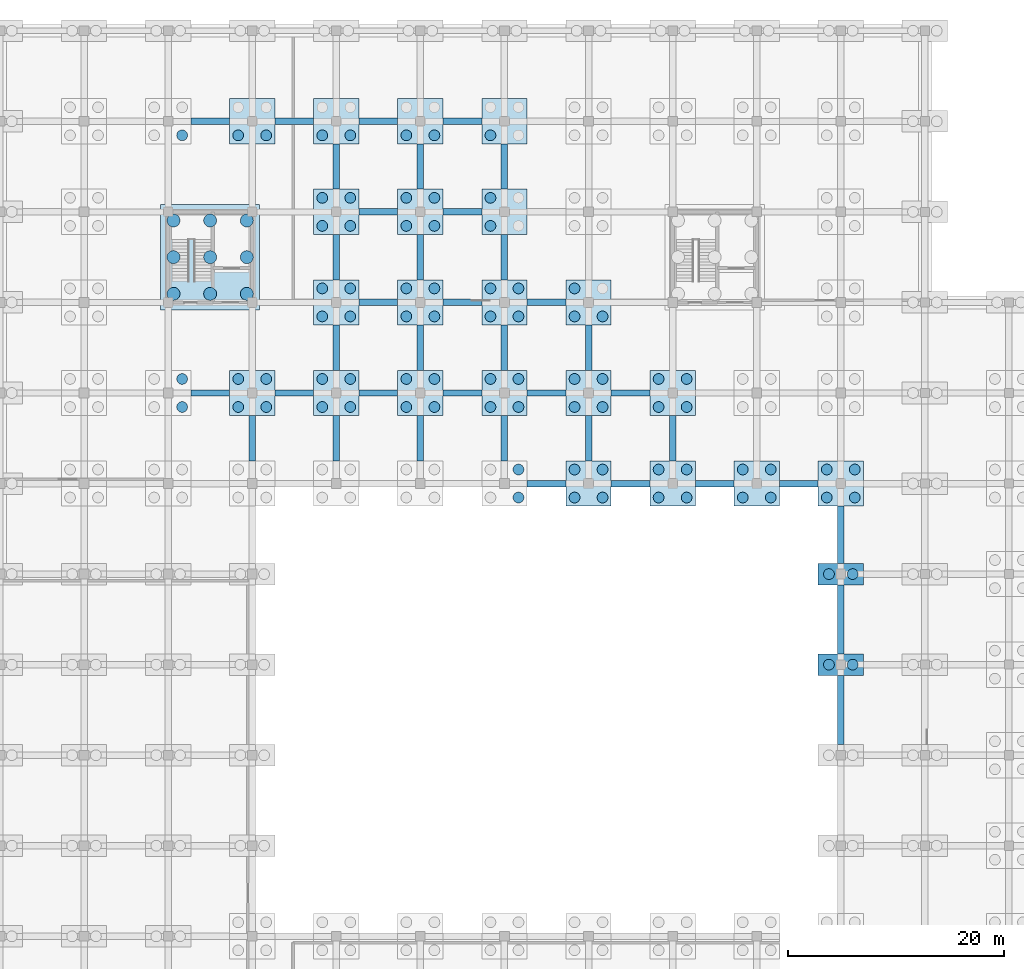
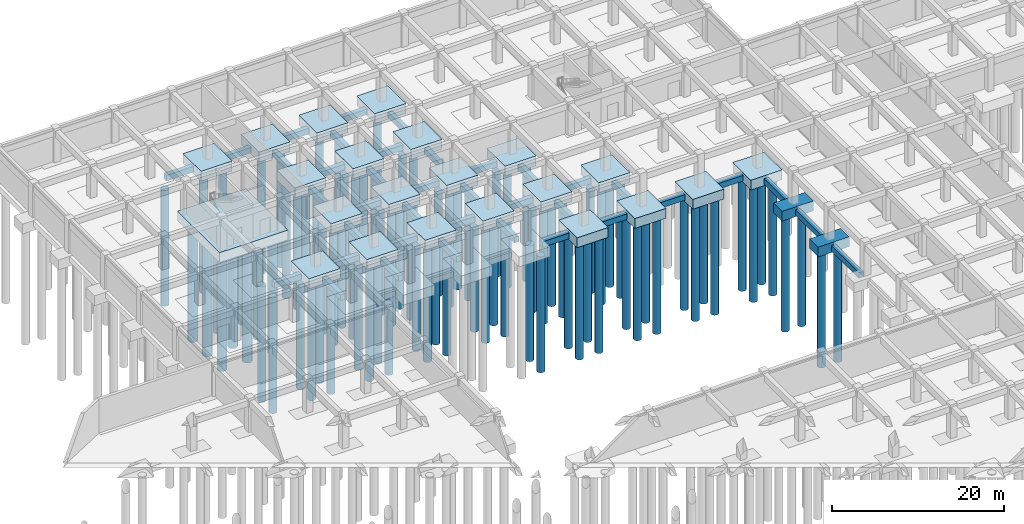
# One storey, part 7 of 31: 90 piles, 62 footings.
"""IFC4 building model written with IfcOpenShell, lengths in metres."""

import ifcopenshell
import ifcopenshell.guid

model = None  # the IFC model being written
_history = None  # IfcOwnerHistory: only IFC2X3 demands one
_inside = {}  # id of a spatial element -> (the spatial element, [elements in it])
_under = {}  # id of a project, library or spatial element -> (it, [spatial elements below it])
_declared = {}  # id of a project -> (the project, [libraries it declares])
_typed = {}  # id of a type object -> (the type object, [elements of that type])
_made_of = {}  # id of a material, layer set ... -> (it, [elements and type objects made of it])


def new_model(schema):
    """Start an empty IFC model of exactly this schema.

    Asked for "IFC4X3", IfcOpenShell would pick the latest addendum, in which some entities
    have other attributes; the version numbers below select the first issue.
    IFC2X3 requires an IfcOwnerHistory on every rooted entity: one is made here for all.
    """
    global model, _history
    if schema == "IFC4X3":
        model = ifcopenshell.file(schema_version=(4, 3, 0, 0))
    else:
        model = ifcopenshell.file(schema=schema)
    _inside.clear()
    _under.clear()
    _declared.clear()
    _typed.clear()
    _made_of.clear()
    _history = None
    if model.schema == "IFC2X3":
        org = make("IfcOrganization", Name="unknown")
        user = make(
            "IfcPersonAndOrganization",
            ThePerson=make("IfcPerson", FamilyName="unknown"),
            TheOrganization=org,
        )
        app = make(
            "IfcApplication",
            ApplicationDeveloper=org,
            Version="unknown",
            ApplicationFullName="unknown",
            ApplicationIdentifier="unknown",
        )
        _history = make(
            "IfcOwnerHistory",
            OwningUser=user,
            OwningApplication=app,
            ChangeAction="ADDED",
            CreationDate=0,
        )
    return model


def make(cls, **values):
    """One entity of the class cls with the attributes given. An attribute that is None is left unset."""
    return model.create_entity(
        cls, **{name: value for name, value in values.items() if value is not None}
    )


def rooted(cls, **values):
    """An entity with a GlobalId (a new one), such as an element, a storey or a relation."""
    return make(cls, GlobalId=ifcopenshell.guid.new(), OwnerHistory=_history, **values)


def si_unit(unit_type, name, prefix=None):
    """IfcSIUnit, for example si_unit("LENGTHUNIT", "METRE", prefix="MILLI")."""
    return make("IfcSIUnit", UnitType=unit_type, Prefix=prefix, Name=name)


def assignment(units):
    """IfcUnitAssignment: the units of a project."""
    return None if units is None else make("IfcUnitAssignment", Units=units)


def point(xyz):
    """IfcCartesianPoint."""
    return None if xyz is None else make("IfcCartesianPoint", Coordinates=xyz)


def direction(xyz):
    """IfcDirection."""
    return None if xyz is None else make("IfcDirection", DirectionRatios=xyz)


def frame(location, z_axis=None, x_axis=None):
    """IfcAxis2Placement3D, a coordinate frame: its origin and axes. An axis left out is left unset."""
    return make(
        "IfcAxis2Placement3D",
        Location=point(location),
        Axis=direction(z_axis),
        RefDirection=direction(x_axis),
    )


def frame_2d(location, x_axis=None):
    """IfcAxis2Placement2D, a coordinate frame in the plane: its origin and x axis."""
    return make(
        "IfcAxis2Placement2D", Location=point(location), RefDirection=direction(x_axis)
    )


def origin():
    """The frame at (0, 0, 0) with its axes left unset."""
    return frame((0.0, 0.0, 0.0))


def origin_2d():
    """The frame at (0, 0) in the plane with its x axis left unset."""
    return frame_2d((0.0, 0.0))


def place(relative_to, where):
    """IfcLocalPlacement: puts the frame where relative to a parent placement (None: the world)."""
    return make(
        "IfcLocalPlacement", PlacementRelTo=relative_to, RelativePlacement=where
    )


def context(
    kind, dimensions, precision=None, world=None, true_north=None, identifier=None
):
    """IfcGeometricRepresentationContext, for example the 3D "Model" context."""
    return make(
        "IfcGeometricRepresentationContext",
        ContextIdentifier=identifier,
        ContextType=kind,
        CoordinateSpaceDimension=dimensions,
        Precision=precision,
        WorldCoordinateSystem=world,
        TrueNorth=true_north,
    )


def subcontext(parent, identifier, kind, view, scale=None):
    """IfcGeometricRepresentationSubContext, for example "Body" below "Model"."""
    return make(
        "IfcGeometricRepresentationSubContext",
        ContextIdentifier=identifier,
        ContextType=kind,
        ParentContext=parent,
        TargetScale=scale,
        TargetView=view,
    )


def project(units=None, contexts=None):
    """IfcProject with its units and contexts."""
    return rooted(
        "IfcProject",
        Name="project",
        RepresentationContexts=contexts,
        UnitsInContext=assignment(units),
    )


def spatial(cls, under=None, at=None, **own):
    """A site, building, storey or space (cls), placed at a placement, below another one or the project."""
    s = rooted(cls, ObjectPlacement=at, **own)
    if under is not None:
        _under.setdefault(under.id(), (under, []))[1].append(s)
    return s


def profile(cls, at=None, kind="AREA", **sizes):
    """A parametric profile (cls). Its sizes go by their IFC names, for example OverallWidth=200.0."""
    return make(cls, ProfileType=kind, Position=at, **sizes)


def rectangle(**sizes):
    """IfcRectangleProfileDef."""
    return profile("IfcRectangleProfileDef", **sizes)


def circle(**sizes):
    """IfcCircleProfileDef."""
    return profile("IfcCircleProfileDef", **sizes)


def extrude(swept, where, along, depth):
    """IfcExtrudedAreaSolid: the profile swept, set in the frame where, extruded along a direction by depth."""
    return make(
        "IfcExtrudedAreaSolid",
        SweptArea=swept,
        Position=where,
        ExtrudedDirection=direction(along),
        Depth=depth,
    )


def shape(context_of_items, identifier, shape_type, items):
    """IfcShapeRepresentation: the items that make up one representation, for example the "Body"."""
    return make(
        "IfcShapeRepresentation",
        ContextOfItems=context_of_items,
        RepresentationIdentifier=identifier,
        RepresentationType=shape_type,
        Items=items,
    )


def material(Name=None, Category=None):
    """IfcMaterial."""
    return make("IfcMaterial", Name=Name, Category=Category)


def material_profile(
    of_material, cross_section, Name=None, Category=None, Priority=None
):
    """IfcMaterialProfile: a cross section and its material."""
    return make(
        "IfcMaterialProfile",
        Name=Name,
        Material=of_material,
        Profile=cross_section,
        Priority=Priority,
        Category=Category,
    )


def profile_set(profiles, Name=None, composite=None):
    """IfcMaterialProfileSet."""
    return make(
        "IfcMaterialProfileSet",
        Name=Name,
        MaterialProfiles=profiles,
        CompositeProfile=composite,
    )


def made_of(thing, what):
    """Note that an element or type object is made of a material, layer set ...; save() writes the relation."""
    if what is not None:
        _made_of.setdefault(what.id(), (what, []))[1].append(thing)
    return thing


def type_object(cls, material=None, **own):
    """A type object (cls), such as IfcWallType, which elements share."""
    return made_of(rooted(cls, **own), material)


def element(
    cls,
    number,
    at=None,
    inside=None,
    cuts=None,
    type_object=None,
    material=None,
    context=None,
    identifier="Body",
    shape_type=None,
    held_by="IfcProductDefinitionShape",
    body=None,
    shapes=None,
    **own,
):
    """One element of the class cls, such as IfcWall. Its Tag is "e" and its number.

    at: its placement. inside: the storey or other place that contains it. cuts: it is an
    opening in that element (IfcRelVoidsElement). A single representation is given by context,
    identifier, shape_type and body (its items); several are given by shapes. held_by: the class
    of the entity that holds the representations. save() writes the other relations.
    """
    e = rooted(cls, Tag="e%d" % number, ObjectPlacement=at, **own)
    if body is not None:
        shapes = [shape(context, identifier, shape_type, body)]
    if shapes is not None:
        e.Representation = make(held_by, Representations=shapes)
    if inside is not None:
        _inside.setdefault(inside.id(), (inside, []))[1].append(e)
    if cuts is not None:
        rooted(
            "IfcRelVoidsElement", RelatingBuildingElement=cuts, RelatedOpeningElement=e
        )
    if type_object is not None:
        _typed.setdefault(type_object.id(), (type_object, []))[1].append(e)
    return made_of(e, material)


def aggregate(whole, parts):
    """IfcRelAggregates: a whole, such as a stair, and the parts it consists of."""
    return rooted("IfcRelAggregates", RelatingObject=whole, RelatedObjects=parts)


def save(model, path):
    """Write the relations noted so far, then the file.

    IfcRelAggregates (storeys below a building ...), IfcRelContainedInSpatialStructure (elements
    in a storey), IfcRelDefinesByType, IfcRelAssociatesMaterial and IfcRelDeclares: one each for
    every whole, place, type object, material and project.
    """
    for whole, parts in _under.values():
        aggregate(whole, parts)
    for where, things in _inside.values():
        rooted(
            "IfcRelContainedInSpatialStructure",
            RelatedElements=things,
            RelatingStructure=where,
        )
    for kind, things in _typed.values():
        rooted("IfcRelDefinesByType", RelatedObjects=things, RelatingType=kind)
    for what, things in _made_of.values():
        rooted("IfcRelAssociatesMaterial", RelatedObjects=things, RelatingMaterial=what)
    for by, libraries in _declared.values():
        rooted("IfcRelDeclares", RelatingContext=by, RelatedDefinitions=libraries)
    model.write(path)


model = new_model("IFC4")

# Units and contexts
model_context = context("Model", 3, precision=1e-05, world=origin(), true_north=direction((0.0, 1.0)))
body_context = subcontext(model_context, "Body", "Model", "MODEL_VIEW")
ifc_project = project(units=[si_unit("LENGTHUNIT", "METRE"), si_unit("AREAUNIT", "SQUARE_METRE"), si_unit("VOLUMEUNIT", "CUBIC_METRE"), si_unit("PLANEANGLEUNIT", "RADIAN"), si_unit("MASSUNIT", "GRAM", prefix="KILO")], contexts=[model_context])

# Site, building, storey
site_placement = place(None, origin())
site = spatial("IfcSite", under=ifc_project, at=site_placement, CompositionType="ELEMENT")
building_placement = place(site_placement, origin())
building = spatial("IfcBuilding", under=site, at=building_placement, Name="Zizhar Promenade General Hospital", CompositionType="ELEMENT")
storey_placement = place(building_placement, frame((0.0, 0.0, -4.800048828125)))
storey = spatial("IfcBuildingStorey", under=building, at=storey_placement, Name="B1", CompositionType="ELEMENT", Elevation=-4.800048828125)

# Footings
ifc_material_1 = material(Name="Concrete C30/37", Category="concrete")
footing_type_1 = type_object("IfcFootingType", Name="FTG-CAP2-4000", PredefinedType="PILE_CAP", material=ifc_material_1)
for number, where, z_axis, x_axis, name in (
    (1, (124.800048828125, 75.60009765625, -1.39990234375), (0.0, 0.0, 1.0), (1.0, 0.0, 0.0), "Pile Cap 17-K"),
    (2, (124.800048828125, 84.0, -1.39990234375), (0.0, 0.0, 1.0), (1.0, 0.0, 0.0), "Pile Cap 17-L"),
):
    element("IfcFooting", number, at=place(storey_placement, frame(where, z_axis=z_axis, x_axis=x_axis)), inside=storey, type_object=footing_type_1, Name=name, PredefinedType="PILE_CAP", context=body_context, shape_type="SweptSolid", body=[
        extrude(rectangle(XDim=4.199951171875, YDim=2.0, at=origin_2d()), origin(), (0.0, 0.0, 1.0), 1.39990234375),
    ])
ifc_material_2 = material(Name="Concrete C30/37", Category="concrete")
footing_type_2 = type_object("IfcFootingType", Name="FTG-CAP4-4200", PredefinedType="PILE_CAP", material=ifc_material_2)
for number, where, z_axis, x_axis, name in (
    (3, (70.199951171875, 100.800048828125, -1.39990234375), (0.0, 0.0, 1.0), (1.0, 0.0, 0.0), "Pile Cap 10-N"),
    (4, (70.199951171875, 126.0, -1.39990234375), (0.0, 0.0, 1.0), (1.0, 0.0, 0.0), "Pile Cap 10-R"),
    (5, (78.0, 100.800048828125, -1.39990234375), (0.0, 0.0, 1.0), (1.0, 0.0, 0.0), "Pile Cap 11-N"),
    (6, (78.0, 109.199951171875, -1.39990234375), (0.0, 0.0, 1.0), (1.0, 0.0, 0.0), "Pile Cap 11-P"),
    (7, (78.0, 117.60009765625, -1.39990234375), (0.0, 0.0, 1.0), (1.0, 0.0, 0.0), "Pile Cap 11-Q"),
    (8, (78.0, 126.0, -1.39990234375), (0.0, 0.0, 1.0), (1.0, 0.0, 0.0), "Pile Cap 11-R"),
    (9, (85.800048828125, 100.800048828125, -1.39990234375), (0.0, 0.0, 1.0), (1.0, 0.0, 0.0), "Pile Cap 12-N"),
    (10, (85.800048828125, 109.199951171875, -1.39990234375), (0.0, 0.0, 1.0), (1.0, 0.0, 0.0), "Pile Cap 12-P"),
    (11, (85.800048828125, 117.60009765625, -1.39990234375), (0.0, 0.0, 1.0), (1.0, 0.0, 0.0), "Pile Cap 12-Q"),
    (12, (85.800048828125, 126.0, -1.39990234375), (0.0, 0.0, 1.0), (1.0, 0.0, 0.0), "Pile Cap 12-R"),
    (13, (93.60009765625, 100.800048828125, -1.39990234375), (0.0, 0.0, 1.0), (1.0, 0.0, 0.0), "Pile Cap 13-N"),
    (14, (93.60009765625, 109.199951171875, -1.39990234375), (0.0, 0.0, 1.0), (1.0, 0.0, 0.0), "Pile Cap 13-P"),
    (15, (93.60009765625, 117.60009765625, -1.39990234375), (0.0, 0.0, 1.0), (1.0, 0.0, 0.0), "Pile Cap 13-Q"),
    (16, (93.60009765625, 126.0, -1.39990234375), (0.0, 0.0, 1.0), (1.0, 0.0, 0.0), "Pile Cap 13-R"),
    (17, (101.39990234375, 92.39990234375, -1.39990234375), (0.0, 0.0, 1.0), (1.0, 0.0, 0.0), "Pile Cap 14-M"),
    (18, (101.39990234375, 100.800048828125, -1.39990234375), (0.0, 0.0, 1.0), (1.0, 0.0, 0.0), "Pile Cap 14-N"),
    (19, (101.39990234375, 109.199951171875, -1.39990234375), (0.0, 0.0, 1.0), (1.0, 0.0, 0.0), "Pile Cap 14-P"),
    (20, (109.199951171875, 92.39990234375, -1.39990234375), (0.0, 0.0, 1.0), (1.0, 0.0, 0.0), "Pile Cap 15-M"),
    (21, (109.199951171875, 100.800048828125, -1.39990234375), (0.0, 0.0, 1.0), (1.0, 0.0, 0.0), "Pile Cap 15-N"),
    (22, (117.0, 92.39990234375, -1.39990234375), (0.0, 0.0, 1.0), (1.0, 0.0, 0.0), "Pile Cap 16-M"),
    (23, (124.800048828125, 92.39990234375, -1.39990234375), (0.0, 0.0, 1.0), (1.0, 0.0, 0.0), "Pile Cap 17-M"),
):
    element("IfcFooting", number, at=place(storey_placement, frame(where, z_axis=z_axis, x_axis=x_axis)), inside=storey, type_object=footing_type_2, Name=name, PredefinedType="PILE_CAP", context=body_context, shape_type="SweptSolid", body=[
        extrude(rectangle(XDim=4.199951171875, YDim=4.199951171875, at=origin_2d()), origin(), (0.0, 0.0, 1.0), 1.39990234375),
    ])
ifc_material_3 = material(Name="Concrete C30/37", Category="concrete")
footing_type_3 = type_object("IfcFootingType", Name="FTG-CORECAP-9200", PredefinedType="PILE_CAP", material=ifc_material_3)
footing_1_placement = place(storey_placement, frame((66.300048828125, 113.39990234375, -1.39990234375), z_axis=(0.0, 0.0, 1.0), x_axis=(1.0, 0.0, 0.0)))
element("IfcFooting", 24, at=footing_1_placement, inside=storey, type_object=footing_type_3, Name="Core C6 Pile Cap", PredefinedType="PILE_CAP", context=body_context, shape_type="SweptSolid", body=[
    extrude(rectangle(XDim=9.199951171875, YDim=9.800048828125, at=origin_2d()), origin(), (0.0, 0.0, 1.0), 1.39990234375),
])
ifc_material_4 = material(Name="Concrete C30/37", Category="concrete")
ifc_material_profile_1 = material_profile(ifc_material_4, rectangle(XDim=0.60009765625, YDim=0.800048828125, at=origin_2d()))
ifc_profile_set_1 = profile_set([ifc_material_profile_1], Name="Concrete C30/37")
footing_type_4 = type_object("IfcFootingType", Name="FTG-TIE-600x800", PredefinedType="FOOTING_BEAM", material=ifc_profile_set_1)
for number, where, z_axis, x_axis, name in (
    (25, (64.5, 100.800048828125, -0.800048828125), (1.0, 0.0, 0.0), (0.0, 1.0, 0.0), "Seismic Ground Tie Beam X-8-12"),
    (26, (64.5, 126.0, -0.800048828125), (1.0, 0.0, 0.0), (0.0, 1.0, 0.0), "Seismic Ground Tie Beam X-8-15"),
):
    element("IfcFooting", number, at=place(storey_placement, frame(where, z_axis=z_axis, x_axis=x_axis)), inside=storey, type_object=footing_type_4, Name=name, PredefinedType="FOOTING_BEAM", context=body_context, shape_type="SweptSolid", body=[
        extrude(rectangle(XDim=0.60009765625, YDim=0.800048828125, at=origin_2d()), origin(), (0.0, 0.0, 1.0), 3.60009765625),
    ])
footing_2_placement = place(storey_placement, frame((70.199951171875, 94.5, -0.800048828125), z_axis=(0.0, 1.0, 0.0), x_axis=(-1.0, 0.0, 0.0)))
element("IfcFooting", 27, at=footing_2_placement, inside=storey, type_object=footing_type_4, Name="Seismic Ground Tie Beam Y-9-11", PredefinedType="FOOTING_BEAM", context=body_context, shape_type="SweptSolid", body=[
    extrude(rectangle(XDim=0.60009765625, YDim=0.800048828125, at=origin_2d()), origin(), (0.0, 0.0, 1.0), 4.199951171875),
])
for number, where, z_axis, x_axis, name in (
    (28, (72.300048828125, 100.800048828125, -0.800048828125), (1.0, 0.0, 0.0), (0.0, 1.0, 0.0), "Seismic Ground Tie Beam X-9-12"),
    (29, (72.300048828125, 126.0, -0.800048828125), (1.0, 0.0, 0.0), (0.0, 1.0, 0.0), "Seismic Ground Tie Beam X-9-15"),
):
    element("IfcFooting", number, at=place(storey_placement, frame(where, z_axis=z_axis, x_axis=x_axis)), inside=storey, type_object=footing_type_4, Name=name, PredefinedType="FOOTING_BEAM", context=body_context, shape_type="SweptSolid", body=[
        extrude(rectangle(XDim=0.60009765625, YDim=0.800048828125, at=origin_2d()), origin(), (0.0, 0.0, 1.0), 3.599853515625),
    ])
footing_3_placement = place(storey_placement, frame((78.0, 94.5, -0.800048828125), z_axis=(0.0, 1.0, 0.0), x_axis=(-1.0, 0.0, 0.0)))
element("IfcFooting", 30, at=footing_3_placement, inside=storey, type_object=footing_type_4, Name="Seismic Ground Tie Beam Y-10-11", PredefinedType="FOOTING_BEAM", context=body_context, shape_type="SweptSolid", body=[
    extrude(rectangle(XDim=0.60009765625, YDim=0.800048828125, at=origin_2d()), origin(), (0.0, 0.0, 1.0), 4.199951171875),
])
footing_4_placement = place(storey_placement, frame((80.10009765625, 100.800048828125, -0.800048828125), z_axis=(1.0, 0.0, 0.0), x_axis=(0.0, 1.0, 0.0)))
element("IfcFooting", 31, at=footing_4_placement, inside=storey, type_object=footing_type_4, Name="Seismic Ground Tie Beam X-10-12", PredefinedType="FOOTING_BEAM", context=body_context, shape_type="SweptSolid", body=[
    extrude(rectangle(XDim=0.60009765625, YDim=0.800048828125, at=origin_2d()), origin(), (0.0, 0.0, 1.0), 3.599853515625),
])
footing_5_placement = place(storey_placement, frame((78.0, 102.89990234375, -0.800048828125), z_axis=(0.0, 1.0, 0.0), x_axis=(-1.0, 0.0, 0.0)))
element("IfcFooting", 32, at=footing_5_placement, inside=storey, type_object=footing_type_4, Name="Seismic Ground Tie Beam Y-10-12", PredefinedType="FOOTING_BEAM", context=body_context, shape_type="SweptSolid", body=[
    extrude(rectangle(XDim=0.60009765625, YDim=0.800048828125, at=origin_2d()), origin(), (0.0, 0.0, 1.0), 4.2001953125),
])
footing_6_placement = place(storey_placement, frame((80.10009765625, 109.199951171875, -0.800048828125), z_axis=(1.0, 0.0, 0.0), x_axis=(0.0, 1.0, 0.0)))
element("IfcFooting", 33, at=footing_6_placement, inside=storey, type_object=footing_type_4, Name="Seismic Ground Tie Beam X-10-13", PredefinedType="FOOTING_BEAM", context=body_context, shape_type="SweptSolid", body=[
    extrude(rectangle(XDim=0.60009765625, YDim=0.800048828125, at=origin_2d()), origin(), (0.0, 0.0, 1.0), 3.599853515625),
])
footing_7_placement = place(storey_placement, frame((78.0, 111.300048828125, -0.800048828125), z_axis=(0.0, 1.0, 0.0), x_axis=(-1.0, 0.0, 0.0)))
element("IfcFooting", 34, at=footing_7_placement, inside=storey, type_object=footing_type_4, Name="Seismic Ground Tie Beam Y-10-13", PredefinedType="FOOTING_BEAM", context=body_context, shape_type="SweptSolid", body=[
    extrude(rectangle(XDim=0.60009765625, YDim=0.800048828125, at=origin_2d()), origin(), (0.0, 0.0, 1.0), 4.199951171875),
])
footing_8_placement = place(storey_placement, frame((80.10009765625, 117.60009765625, -0.800048828125), z_axis=(1.0, 0.0, 0.0), x_axis=(0.0, 1.0, 0.0)))
element("IfcFooting", 35, at=footing_8_placement, inside=storey, type_object=footing_type_4, Name="Seismic Ground Tie Beam X-10-14", PredefinedType="FOOTING_BEAM", context=body_context, shape_type="SweptSolid", body=[
    extrude(rectangle(XDim=0.60009765625, YDim=0.800048828125, at=origin_2d()), origin(), (0.0, 0.0, 1.0), 3.599853515625),
])
footing_9_placement = place(storey_placement, frame((78.0, 119.699951171875, -0.800048828125), z_axis=(0.0, 1.0, 0.0), x_axis=(-1.0, 0.0, 0.0)))
element("IfcFooting", 36, at=footing_9_placement, inside=storey, type_object=footing_type_4, Name="Seismic Ground Tie Beam Y-10-14", PredefinedType="FOOTING_BEAM", context=body_context, shape_type="SweptSolid", body=[
    extrude(rectangle(XDim=0.60009765625, YDim=0.800048828125, at=origin_2d()), origin(), (0.0, 0.0, 1.0), 4.199951171875),
])
footing_10_placement = place(storey_placement, frame((80.10009765625, 126.0, -0.800048828125), z_axis=(1.0, 0.0, 0.0), x_axis=(0.0, 1.0, 0.0)))
element("IfcFooting", 37, at=footing_10_placement, inside=storey, type_object=footing_type_4, Name="Seismic Ground Tie Beam X-10-15", PredefinedType="FOOTING_BEAM", context=body_context, shape_type="SweptSolid", body=[
    extrude(rectangle(XDim=0.60009765625, YDim=0.800048828125, at=origin_2d()), origin(), (0.0, 0.0, 1.0), 3.599853515625),
])
footing_11_placement = place(storey_placement, frame((85.800048828125, 94.5, -0.800048828125), z_axis=(0.0, 1.0, 0.0), x_axis=(-1.0, 0.0, 0.0)))
element("IfcFooting", 38, at=footing_11_placement, inside=storey, type_object=footing_type_4, Name="Seismic Ground Tie Beam Y-11-11", PredefinedType="FOOTING_BEAM", context=body_context, shape_type="SweptSolid", body=[
    extrude(rectangle(XDim=0.60009765625, YDim=0.800048828125, at=origin_2d()), origin(), (0.0, 0.0, 1.0), 4.199951171875),
])
footing_12_placement = place(storey_placement, frame((87.89990234375, 100.800048828125, -0.800048828125), z_axis=(1.0, 0.0, 0.0), x_axis=(0.0, 1.0, 0.0)))
element("IfcFooting", 39, at=footing_12_placement, inside=storey, type_object=footing_type_4, Name="Seismic Ground Tie Beam X-11-12", PredefinedType="FOOTING_BEAM", context=body_context, shape_type="SweptSolid", body=[
    extrude(rectangle(XDim=0.60009765625, YDim=0.800048828125, at=origin_2d()), origin(), (0.0, 0.0, 1.0), 3.60009765625),
])
footing_13_placement = place(storey_placement, frame((85.800048828125, 102.89990234375, -0.800048828125), z_axis=(0.0, 1.0, 0.0), x_axis=(-1.0, 0.0, 0.0)))
element("IfcFooting", 40, at=footing_13_placement, inside=storey, type_object=footing_type_4, Name="Seismic Ground Tie Beam Y-11-12", PredefinedType="FOOTING_BEAM", context=body_context, shape_type="SweptSolid", body=[
    extrude(rectangle(XDim=0.60009765625, YDim=0.800048828125, at=origin_2d()), origin(), (0.0, 0.0, 1.0), 4.2001953125),
])
footing_14_placement = place(storey_placement, frame((87.89990234375, 109.199951171875, -0.800048828125), z_axis=(1.0, 0.0, 0.0), x_axis=(0.0, 1.0, 0.0)))
element("IfcFooting", 41, at=footing_14_placement, inside=storey, type_object=footing_type_4, Name="Seismic Ground Tie Beam X-11-13", PredefinedType="FOOTING_BEAM", context=body_context, shape_type="SweptSolid", body=[
    extrude(rectangle(XDim=0.60009765625, YDim=0.800048828125, at=origin_2d()), origin(), (0.0, 0.0, 1.0), 3.60009765625),
])
footing_15_placement = place(storey_placement, frame((85.800048828125, 111.300048828125, -0.800048828125), z_axis=(0.0, 1.0, 0.0), x_axis=(-1.0, 0.0, 0.0)))
element("IfcFooting", 42, at=footing_15_placement, inside=storey, type_object=footing_type_4, Name="Seismic Ground Tie Beam Y-11-13", PredefinedType="FOOTING_BEAM", context=body_context, shape_type="SweptSolid", body=[
    extrude(rectangle(XDim=0.60009765625, YDim=0.800048828125, at=origin_2d()), origin(), (0.0, 0.0, 1.0), 4.199951171875),
])
footing_16_placement = place(storey_placement, frame((87.89990234375, 117.60009765625, -0.800048828125), z_axis=(1.0, 0.0, 0.0), x_axis=(0.0, 1.0, 0.0)))
element("IfcFooting", 43, at=footing_16_placement, inside=storey, type_object=footing_type_4, Name="Seismic Ground Tie Beam X-11-14", PredefinedType="FOOTING_BEAM", context=body_context, shape_type="SweptSolid", body=[
    extrude(rectangle(XDim=0.60009765625, YDim=0.800048828125, at=origin_2d()), origin(), (0.0, 0.0, 1.0), 3.60009765625),
])
footing_17_placement = place(storey_placement, frame((85.800048828125, 119.699951171875, -0.800048828125), z_axis=(0.0, 1.0, 0.0), x_axis=(-1.0, 0.0, 0.0)))
element("IfcFooting", 44, at=footing_17_placement, inside=storey, type_object=footing_type_4, Name="Seismic Ground Tie Beam Y-11-14", PredefinedType="FOOTING_BEAM", context=body_context, shape_type="SweptSolid", body=[
    extrude(rectangle(XDim=0.60009765625, YDim=0.800048828125, at=origin_2d()), origin(), (0.0, 0.0, 1.0), 4.199951171875),
])
for number, where, z_axis, x_axis, name in (
    (45, (87.89990234375, 126.0, -0.800048828125), (1.0, 0.0, 0.0), (0.0, 1.0, 0.0), "Seismic Ground Tie Beam X-11-15"),
    (46, (95.699951171875, 92.39990234375, -0.800048828125), (1.0, 0.0, 0.0), (0.0, 1.0, 0.0), "Seismic Ground Tie Beam X-12-11"),
):
    element("IfcFooting", number, at=place(storey_placement, frame(where, z_axis=z_axis, x_axis=x_axis)), inside=storey, type_object=footing_type_4, Name=name, PredefinedType="FOOTING_BEAM", context=body_context, shape_type="SweptSolid", body=[
        extrude(rectangle(XDim=0.60009765625, YDim=0.800048828125, at=origin_2d()), origin(), (0.0, 0.0, 1.0), 3.60009765625),
    ])
footing_18_placement = place(storey_placement, frame((93.60009765625, 94.5, -0.800048828125), z_axis=(0.0, 1.0, 0.0), x_axis=(-1.0, 0.0, 0.0)))
element("IfcFooting", 47, at=footing_18_placement, inside=storey, type_object=footing_type_4, Name="Seismic Ground Tie Beam Y-12-11", PredefinedType="FOOTING_BEAM", context=body_context, shape_type="SweptSolid", body=[
    extrude(rectangle(XDim=0.60009765625, YDim=0.800048828125, at=origin_2d()), origin(), (0.0, 0.0, 1.0), 4.199951171875),
])
footing_19_placement = place(storey_placement, frame((95.699951171875, 100.800048828125, -0.800048828125), z_axis=(1.0, 0.0, 0.0), x_axis=(0.0, 1.0, 0.0)))
element("IfcFooting", 48, at=footing_19_placement, inside=storey, type_object=footing_type_4, Name="Seismic Ground Tie Beam X-12-12", PredefinedType="FOOTING_BEAM", context=body_context, shape_type="SweptSolid", body=[
    extrude(rectangle(XDim=0.60009765625, YDim=0.800048828125, at=origin_2d()), origin(), (0.0, 0.0, 1.0), 3.60009765625),
])
footing_20_placement = place(storey_placement, frame((93.60009765625, 102.89990234375, -0.800048828125), z_axis=(0.0, 1.0, 0.0), x_axis=(-1.0, 0.0, 0.0)))
element("IfcFooting", 49, at=footing_20_placement, inside=storey, type_object=footing_type_4, Name="Seismic Ground Tie Beam Y-12-12", PredefinedType="FOOTING_BEAM", context=body_context, shape_type="SweptSolid", body=[
    extrude(rectangle(XDim=0.60009765625, YDim=0.800048828125, at=origin_2d()), origin(), (0.0, 0.0, 1.0), 4.2001953125),
])
footing_21_placement = place(storey_placement, frame((95.699951171875, 109.199951171875, -0.800048828125), z_axis=(1.0, 0.0, 0.0), x_axis=(0.0, 1.0, 0.0)))
element("IfcFooting", 50, at=footing_21_placement, inside=storey, type_object=footing_type_4, Name="Seismic Ground Tie Beam X-12-13", PredefinedType="FOOTING_BEAM", context=body_context, shape_type="SweptSolid", body=[
    extrude(rectangle(XDim=0.60009765625, YDim=0.800048828125, at=origin_2d()), origin(), (0.0, 0.0, 1.0), 3.60009765625),
])
for number, where, z_axis, x_axis, name in (
    (51, (93.60009765625, 111.300048828125, -0.800048828125), (0.0, 1.0, 0.0), (-1.0, 0.0, 0.0), "Seismic Ground Tie Beam Y-12-13"),
    (52, (93.60009765625, 119.699951171875, -0.800048828125), (0.0, 1.0, 0.0), (-1.0, 0.0, 0.0), "Seismic Ground Tie Beam Y-12-14"),
):
    element("IfcFooting", number, at=place(storey_placement, frame(where, z_axis=z_axis, x_axis=x_axis)), inside=storey, type_object=footing_type_4, Name=name, PredefinedType="FOOTING_BEAM", context=body_context, shape_type="SweptSolid", body=[
        extrude(rectangle(XDim=0.60009765625, YDim=0.800048828125, at=origin_2d()), origin(), (0.0, 0.0, 1.0), 4.199951171875),
    ])
footing_22_placement = place(storey_placement, frame((103.5, 92.39990234375, -0.800048828125), z_axis=(1.0, 0.0, 0.0), x_axis=(0.0, 1.0, 0.0)))
element("IfcFooting", 53, at=footing_22_placement, inside=storey, type_object=footing_type_4, Name="Seismic Ground Tie Beam X-13-11", PredefinedType="FOOTING_BEAM", context=body_context, shape_type="SweptSolid", body=[
    extrude(rectangle(XDim=0.60009765625, YDim=0.800048828125, at=origin_2d()), origin(), (0.0, 0.0, 1.0), 3.60009765625),
])
footing_23_placement = place(storey_placement, frame((101.39990234375, 94.5, -0.800048828125), z_axis=(0.0, 1.0, 0.0), x_axis=(-1.0, 0.0, 0.0)))
element("IfcFooting", 54, at=footing_23_placement, inside=storey, type_object=footing_type_4, Name="Seismic Ground Tie Beam Y-13-11", PredefinedType="FOOTING_BEAM", context=body_context, shape_type="SweptSolid", body=[
    extrude(rectangle(XDim=0.60009765625, YDim=0.800048828125, at=origin_2d()), origin(), (0.0, 0.0, 1.0), 4.199951171875),
])
footing_24_placement = place(storey_placement, frame((103.5, 100.800048828125, -0.800048828125), z_axis=(1.0, 0.0, 0.0), x_axis=(0.0, 1.0, 0.0)))
element("IfcFooting", 55, at=footing_24_placement, inside=storey, type_object=footing_type_4, Name="Seismic Ground Tie Beam X-13-12", PredefinedType="FOOTING_BEAM", context=body_context, shape_type="SweptSolid", body=[
    extrude(rectangle(XDim=0.60009765625, YDim=0.800048828125, at=origin_2d()), origin(), (0.0, 0.0, 1.0), 3.60009765625),
])
footing_25_placement = place(storey_placement, frame((101.39990234375, 102.89990234375, -0.800048828125), z_axis=(0.0, 1.0, 0.0), x_axis=(-1.0, 0.0, 0.0)))
element("IfcFooting", 56, at=footing_25_placement, inside=storey, type_object=footing_type_4, Name="Seismic Ground Tie Beam Y-13-12", PredefinedType="FOOTING_BEAM", context=body_context, shape_type="SweptSolid", body=[
    extrude(rectangle(XDim=0.60009765625, YDim=0.800048828125, at=origin_2d()), origin(), (0.0, 0.0, 1.0), 4.2001953125),
])
footing_26_placement = place(storey_placement, frame((111.300048828125, 92.39990234375, -0.800048828125), z_axis=(1.0, 0.0, 0.0), x_axis=(0.0, 1.0, 0.0)))
element("IfcFooting", 57, at=footing_26_placement, inside=storey, type_object=footing_type_4, Name="Seismic Ground Tie Beam X-14-11", PredefinedType="FOOTING_BEAM", context=body_context, shape_type="SweptSolid", body=[
    extrude(rectangle(XDim=0.60009765625, YDim=0.800048828125, at=origin_2d()), origin(), (0.0, 0.0, 1.0), 3.599853515625),
])
footing_27_placement = place(storey_placement, frame((109.199951171875, 94.5, -0.800048828125), z_axis=(0.0, 1.0, 0.0), x_axis=(-1.0, 0.0, 0.0)))
element("IfcFooting", 58, at=footing_27_placement, inside=storey, type_object=footing_type_4, Name="Seismic Ground Tie Beam Y-14-11", PredefinedType="FOOTING_BEAM", context=body_context, shape_type="SweptSolid", body=[
    extrude(rectangle(XDim=0.60009765625, YDim=0.800048828125, at=origin_2d()), origin(), (0.0, 0.0, 1.0), 4.199951171875),
])
footing_28_placement = place(storey_placement, frame((119.10009765625, 92.39990234375, -0.800048828125), z_axis=(1.0, 0.0, 0.0), x_axis=(0.0, 1.0, 0.0)))
element("IfcFooting", 59, at=footing_28_placement, inside=storey, type_object=footing_type_4, Name="Seismic Ground Tie Beam X-15-11", PredefinedType="FOOTING_BEAM", context=body_context, shape_type="SweptSolid", body=[
    extrude(rectangle(XDim=0.60009765625, YDim=0.800048828125, at=origin_2d()), origin(), (0.0, 0.0, 1.0), 3.599853515625),
])
footing_29_placement = place(storey_placement, frame((124.800048828125, 68.199951171875, -0.800048828125), z_axis=(0.0, 1.0, 0.0), x_axis=(-1.0, 0.0, 0.0)))
element("IfcFooting", 60, at=footing_29_placement, inside=storey, type_object=footing_type_4, Name="Seismic Ground Tie Beam Y-16-8", PredefinedType="FOOTING_BEAM", context=body_context, shape_type="SweptSolid", body=[
    extrude(rectangle(XDim=0.60009765625, YDim=0.800048828125, at=origin_2d()), origin(), (0.0, 0.0, 1.0), 6.400146484375),
])
footing_30_placement = place(storey_placement, frame((124.800048828125, 76.60009765625, -0.800048828125), z_axis=(0.0, 1.0, 0.0), x_axis=(-1.0, 0.0, 0.0)))
element("IfcFooting", 61, at=footing_30_placement, inside=storey, type_object=footing_type_4, Name="Seismic Ground Tie Beam Y-16-9", PredefinedType="FOOTING_BEAM", context=body_context, shape_type="SweptSolid", body=[
    extrude(rectangle(XDim=0.60009765625, YDim=0.800048828125, at=origin_2d()), origin(), (0.0, 0.0, 1.0), 6.39990234375),
])
footing_31_placement = place(storey_placement, frame((124.800048828125, 85.0, -0.800048828125), z_axis=(0.0, 1.0, 0.0), x_axis=(-1.0, 0.0, 0.0)))
element("IfcFooting", 62, at=footing_31_placement, inside=storey, type_object=footing_type_4, Name="Seismic Ground Tie Beam Y-16-10", PredefinedType="FOOTING_BEAM", context=body_context, shape_type="SweptSolid", body=[
    extrude(rectangle(XDim=0.60009765625, YDim=0.800048828125, at=origin_2d()), origin(), (0.0, 0.0, 1.0), 5.300048828125),
])

# Piles
ifc_material_5 = material(Name="Concrete C30/37", Category="concrete")
ifc_material_profile_2 = material_profile(ifc_material_5, circle(Radius=0.5, at=origin_2d()))
ifc_profile_set_2 = profile_set([ifc_material_profile_2], Name="Concrete C30/37")
pile_type_1 = type_object("IfcPileType", Name="PIL-BORED-1000", PredefinedType="BORED", material=ifc_profile_set_2)
for number, where, z_axis, x_axis, name in (
    (63, (63.699951171875, 99.5, -1.300048828125), (0.0, 0.0, -1.0), (1.0, 0.0, 0.0), "Bored Pile 9-N-3"),
    (64, (63.699951171875, 102.10009765625, -1.300048828125), (0.0, 0.0, -1.0), (1.0, 0.0, 0.0), "Bored Pile 9-N-4"),
    (65, (63.699951171875, 124.699951171875, -1.300048828125), (0.0, 0.0, -1.0), (1.0, 0.0, 0.0), "Bored Pile 9-R-3"),
    (66, (68.89990234375, 99.5, -1.300048828125), (0.0, 0.0, -1.0), (1.0, 0.0, 0.0), "Bored Pile 10-N-1"),
    (67, (68.89990234375, 102.10009765625, -1.300048828125), (0.0, 0.0, -1.0), (1.0, 0.0, 0.0), "Bored Pile 10-N-2"),
    (68, (71.5, 99.5, -1.300048828125), (0.0, 0.0, -1.0), (1.0, 0.0, 0.0), "Bored Pile 10-N-3"),
    (69, (71.5, 102.10009765625, -1.300048828125), (0.0, 0.0, -1.0), (1.0, 0.0, 0.0), "Bored Pile 10-N-4"),
    (70, (68.89990234375, 124.699951171875, -1.300048828125), (0.0, 0.0, -1.0), (1.0, 0.0, 0.0), "Bored Pile 10-R-1"),
    (71, (71.5, 124.699951171875, -1.300048828125), (0.0, 0.0, -1.0), (1.0, 0.0, 0.0), "Bored Pile 10-R-3"),
    (72, (76.699951171875, 99.5, -1.300048828125), (0.0, 0.0, -1.0), (1.0, 0.0, 0.0), "Bored Pile 11-N-1"),
    (73, (76.699951171875, 102.10009765625, -1.300048828125), (0.0, 0.0, -1.0), (1.0, 0.0, 0.0), "Bored Pile 11-N-2"),
    (74, (79.300048828125, 99.5, -1.300048828125), (0.0, 0.0, -1.0), (1.0, 0.0, 0.0), "Bored Pile 11-N-3"),
    (75, (79.300048828125, 102.10009765625, -1.300048828125), (0.0, 0.0, -1.0), (1.0, 0.0, 0.0), "Bored Pile 11-N-4"),
    (76, (76.699951171875, 107.89990234375, -1.300048828125), (0.0, 0.0, -1.0), (1.0, 0.0, 0.0), "Bored Pile 11-P-1"),
    (77, (76.699951171875, 110.5, -1.300048828125), (0.0, 0.0, -1.0), (1.0, 0.0, 0.0), "Bored Pile 11-P-2"),
    (78, (79.300048828125, 107.89990234375, -1.300048828125), (0.0, 0.0, -1.0), (1.0, 0.0, 0.0), "Bored Pile 11-P-3"),
    (79, (79.300048828125, 110.5, -1.300048828125), (0.0, 0.0, -1.0), (1.0, 0.0, 0.0), "Bored Pile 11-P-4"),
    (80, (76.699951171875, 116.300048828125, -1.300048828125), (0.0, 0.0, -1.0), (1.0, 0.0, 0.0), "Bored Pile 11-Q-1"),
    (81, (76.699951171875, 118.89990234375, -1.300048828125), (0.0, 0.0, -1.0), (1.0, 0.0, 0.0), "Bored Pile 11-Q-2"),
    (82, (79.300048828125, 116.300048828125, -1.300048828125), (0.0, 0.0, -1.0), (1.0, 0.0, 0.0), "Bored Pile 11-Q-3"),
    (83, (79.300048828125, 118.89990234375, -1.300048828125), (0.0, 0.0, -1.0), (1.0, 0.0, 0.0), "Bored Pile 11-Q-4"),
    (84, (76.699951171875, 124.699951171875, -1.300048828125), (0.0, 0.0, -1.0), (1.0, 0.0, 0.0), "Bored Pile 11-R-1"),
    (85, (79.300048828125, 124.699951171875, -1.300048828125), (0.0, 0.0, -1.0), (1.0, 0.0, 0.0), "Bored Pile 11-R-3"),
    (86, (84.5, 99.5, -1.300048828125), (0.0, 0.0, -1.0), (1.0, 0.0, 0.0), "Bored Pile 12-N-1"),
    (87, (84.5, 102.10009765625, -1.300048828125), (0.0, 0.0, -1.0), (1.0, 0.0, 0.0), "Bored Pile 12-N-2"),
    (88, (87.10009765625, 99.5, -1.300048828125), (0.0, 0.0, -1.0), (1.0, 0.0, 0.0), "Bored Pile 12-N-3"),
    (89, (87.10009765625, 102.10009765625, -1.300048828125), (0.0, 0.0, -1.0), (1.0, 0.0, 0.0), "Bored Pile 12-N-4"),
    (90, (84.5, 107.89990234375, -1.300048828125), (0.0, 0.0, -1.0), (1.0, 0.0, 0.0), "Bored Pile 12-P-1"),
    (91, (84.5, 110.5, -1.300048828125), (0.0, 0.0, -1.0), (1.0, 0.0, 0.0), "Bored Pile 12-P-2"),
    (92, (87.10009765625, 107.89990234375, -1.300048828125), (0.0, 0.0, -1.0), (1.0, 0.0, 0.0), "Bored Pile 12-P-3"),
    (93, (87.10009765625, 110.5, -1.300048828125), (0.0, 0.0, -1.0), (1.0, 0.0, 0.0), "Bored Pile 12-P-4"),
    (94, (84.5, 116.300048828125, -1.300048828125), (0.0, 0.0, -1.0), (1.0, 0.0, 0.0), "Bored Pile 12-Q-1"),
    (95, (84.5, 118.89990234375, -1.300048828125), (0.0, 0.0, -1.0), (1.0, 0.0, 0.0), "Bored Pile 12-Q-2"),
    (96, (87.10009765625, 116.300048828125, -1.300048828125), (0.0, 0.0, -1.0), (1.0, 0.0, 0.0), "Bored Pile 12-Q-3"),
    (97, (87.10009765625, 118.89990234375, -1.300048828125), (0.0, 0.0, -1.0), (1.0, 0.0, 0.0), "Bored Pile 12-Q-4"),
    (98, (84.5, 124.699951171875, -1.300048828125), (0.0, 0.0, -1.0), (1.0, 0.0, 0.0), "Bored Pile 12-R-1"),
    (99, (87.10009765625, 124.699951171875, -1.300048828125), (0.0, 0.0, -1.0), (1.0, 0.0, 0.0), "Bored Pile 12-R-3"),
    (100, (94.89990234375, 91.10009765625, -1.300048828125), (0.0, 0.0, -1.0), (1.0, 0.0, 0.0), "Bored Pile 13-M-3"),
    (101, (94.89990234375, 93.699951171875, -1.300048828125), (0.0, 0.0, -1.0), (1.0, 0.0, 0.0), "Bored Pile 13-M-4"),
    (102, (92.300048828125, 99.5, -1.300048828125), (0.0, 0.0, -1.0), (1.0, 0.0, 0.0), "Bored Pile 13-N-1"),
    (103, (92.300048828125, 102.10009765625, -1.300048828125), (0.0, 0.0, -1.0), (1.0, 0.0, 0.0), "Bored Pile 13-N-2"),
    (104, (94.89990234375, 99.5, -1.300048828125), (0.0, 0.0, -1.0), (1.0, 0.0, 0.0), "Bored Pile 13-N-3"),
    (105, (94.89990234375, 102.10009765625, -1.300048828125), (0.0, 0.0, -1.0), (1.0, 0.0, 0.0), "Bored Pile 13-N-4"),
    (106, (92.300048828125, 107.89990234375, -1.300048828125), (0.0, 0.0, -1.0), (1.0, 0.0, 0.0), "Bored Pile 13-P-1"),
    (107, (92.300048828125, 110.5, -1.300048828125), (0.0, 0.0, -1.0), (1.0, 0.0, 0.0), "Bored Pile 13-P-2"),
    (108, (94.89990234375, 107.89990234375, -1.300048828125), (0.0, 0.0, -1.0), (1.0, 0.0, 0.0), "Bored Pile 13-P-3"),
    (109, (94.89990234375, 110.5, -1.300048828125), (0.0, 0.0, -1.0), (1.0, 0.0, 0.0), "Bored Pile 13-P-4"),
    (110, (92.300048828125, 116.300048828125, -1.300048828125), (0.0, 0.0, -1.0), (1.0, 0.0, 0.0), "Bored Pile 13-Q-1"),
    (111, (92.300048828125, 118.89990234375, -1.300048828125), (0.0, 0.0, -1.0), (1.0, 0.0, 0.0), "Bored Pile 13-Q-2"),
    (112, (92.300048828125, 124.699951171875, -1.300048828125), (0.0, 0.0, -1.0), (1.0, 0.0, 0.0), "Bored Pile 13-R-1"),
    (113, (100.10009765625, 91.10009765625, -1.300048828125), (0.0, 0.0, -1.0), (1.0, 0.0, 0.0), "Bored Pile 14-M-1"),
    (114, (100.10009765625, 93.699951171875, -1.300048828125), (0.0, 0.0, -1.0), (1.0, 0.0, 0.0), "Bored Pile 14-M-2"),
    (115, (102.699951171875, 91.10009765625, -1.300048828125), (0.0, 0.0, -1.0), (1.0, 0.0, 0.0), "Bored Pile 14-M-3"),
    (116, (102.699951171875, 93.699951171875, -1.300048828125), (0.0, 0.0, -1.0), (1.0, 0.0, 0.0), "Bored Pile 14-M-4"),
    (117, (100.10009765625, 99.5, -1.300048828125), (0.0, 0.0, -1.0), (1.0, 0.0, 0.0), "Bored Pile 14-N-1"),
    (118, (100.10009765625, 102.10009765625, -1.300048828125), (0.0, 0.0, -1.0), (1.0, 0.0, 0.0), "Bored Pile 14-N-2"),
    (119, (102.699951171875, 99.5, -1.300048828125), (0.0, 0.0, -1.0), (1.0, 0.0, 0.0), "Bored Pile 14-N-3"),
    (120, (102.699951171875, 102.10009765625, -1.300048828125), (0.0, 0.0, -1.0), (1.0, 0.0, 0.0), "Bored Pile 14-N-4"),
    (121, (100.10009765625, 107.89990234375, -1.300048828125), (0.0, 0.0, -1.0), (1.0, 0.0, 0.0), "Bored Pile 14-P-1"),
    (122, (100.10009765625, 110.5, -1.300048828125), (0.0, 0.0, -1.0), (1.0, 0.0, 0.0), "Bored Pile 14-P-2"),
    (123, (102.699951171875, 107.89990234375, -1.300048828125), (0.0, 0.0, -1.0), (1.0, 0.0, 0.0), "Bored Pile 14-P-3"),
    (124, (107.89990234375, 91.10009765625, -1.300048828125), (0.0, 0.0, -1.0), (1.0, 0.0, 0.0), "Bored Pile 15-M-1"),
    (125, (107.89990234375, 93.699951171875, -1.300048828125), (0.0, 0.0, -1.0), (1.0, 0.0, 0.0), "Bored Pile 15-M-2"),
    (126, (110.5, 91.10009765625, -1.300048828125), (0.0, 0.0, -1.0), (1.0, 0.0, 0.0), "Bored Pile 15-M-3"),
    (127, (110.5, 93.699951171875, -1.300048828125), (0.0, 0.0, -1.0), (1.0, 0.0, 0.0), "Bored Pile 15-M-4"),
    (128, (107.89990234375, 99.5, -1.300048828125), (0.0, 0.0, -1.0), (1.0, 0.0, 0.0), "Bored Pile 15-N-1"),
    (129, (107.89990234375, 102.10009765625, -1.300048828125), (0.0, 0.0, -1.0), (1.0, 0.0, 0.0), "Bored Pile 15-N-2"),
    (130, (110.5, 99.5, -1.300048828125), (0.0, 0.0, -1.0), (1.0, 0.0, 0.0), "Bored Pile 15-N-3"),
    (131, (110.5, 102.10009765625, -1.300048828125), (0.0, 0.0, -1.0), (1.0, 0.0, 0.0), "Bored Pile 15-N-4"),
    (132, (115.699951171875, 91.10009765625, -1.300048828125), (0.0, 0.0, -1.0), (1.0, 0.0, 0.0), "Bored Pile 16-M-1"),
    (133, (115.699951171875, 93.699951171875, -1.300048828125), (0.0, 0.0, -1.0), (1.0, 0.0, 0.0), "Bored Pile 16-M-2"),
    (134, (118.300048828125, 91.10009765625, -1.300048828125), (0.0, 0.0, -1.0), (1.0, 0.0, 0.0), "Bored Pile 16-M-3"),
    (135, (118.300048828125, 93.699951171875, -1.300048828125), (0.0, 0.0, -1.0), (1.0, 0.0, 0.0), "Bored Pile 16-M-4"),
    (136, (123.699951171875, 75.60009765625, -1.300048828125), (0.0, 0.0, -1.0), (1.0, 0.0, 0.0), "Bored Pile 17-K-1"),
    (137, (125.89990234375, 75.60009765625, -1.300048828125), (0.0, 0.0, -1.0), (1.0, 0.0, 0.0), "Bored Pile 17-K-2"),
    (138, (123.699951171875, 84.0, -1.300048828125), (0.0, 0.0, -1.0), (1.0, 0.0, 0.0), "Bored Pile 17-L-1"),
    (139, (125.89990234375, 84.0, -1.300048828125), (0.0, 0.0, -1.0), (1.0, 0.0, 0.0), "Bored Pile 17-L-2"),
    (140, (123.5, 91.10009765625, -1.300048828125), (0.0, 0.0, -1.0), (1.0, 0.0, 0.0), "Bored Pile 17-M-1"),
    (141, (123.5, 93.699951171875, -1.300048828125), (0.0, 0.0, -1.0), (1.0, 0.0, 0.0), "Bored Pile 17-M-2"),
    (142, (126.10009765625, 91.10009765625, -1.300048828125), (0.0, 0.0, -1.0), (1.0, 0.0, 0.0), "Bored Pile 17-M-3"),
    (143, (126.10009765625, 93.699951171875, -1.300048828125), (0.0, 0.0, -1.0), (1.0, 0.0, 0.0), "Bored Pile 17-M-4"),
):
    element("IfcPile", number, at=place(storey_placement, frame(where, z_axis=z_axis, x_axis=x_axis)), inside=storey, type_object=pile_type_1, Name=name, PredefinedType="BORED", context=body_context, shape_type="SweptSolid", body=[
        extrude(circle(Radius=0.5, at=origin_2d()), origin(), (0.0, 0.0, 1.0), 16.5),
    ])
ifc_material_6 = material(Name="Concrete C30/37", Category="concrete")
ifc_material_profile_3 = material_profile(ifc_material_6, circle(Radius=0.60009765625, at=origin_2d()))
ifc_profile_set_3 = profile_set([ifc_material_profile_3], Name="Concrete C30/37")
pile_type_2 = type_object("IfcPileType", Name="PIL-BORED-1200", PredefinedType="BORED", material=ifc_profile_set_3)
for number, where, z_axis, x_axis, name in (
    (144, (62.89990234375, 110.0, -1.300048828125), (0.0, 0.0, -1.0), (1.0, 0.0, 0.0), "Core C6 Bored Pile 01"),
    (145, (62.89990234375, 113.39990234375, -1.300048828125), (0.0, 0.0, -1.0), (1.0, 0.0, 0.0), "Core C6 Bored Pile 02"),
    (146, (62.89990234375, 116.800048828125, -1.300048828125), (0.0, 0.0, -1.0), (1.0, 0.0, 0.0), "Core C6 Bored Pile 03"),
    (147, (66.300048828125, 110.0, -1.300048828125), (0.0, 0.0, -1.0), (1.0, 0.0, 0.0), "Core C6 Bored Pile 04"),
    (148, (66.300048828125, 113.39990234375, -1.300048828125), (0.0, 0.0, -1.0), (1.0, 0.0, 0.0), "Core C6 Bored Pile 05"),
    (149, (66.300048828125, 116.800048828125, -1.300048828125), (0.0, 0.0, -1.0), (1.0, 0.0, 0.0), "Core C6 Bored Pile 06"),
    (150, (69.699951171875, 110.0, -1.300048828125), (0.0, 0.0, -1.0), (1.0, 0.0, 0.0), "Core C6 Bored Pile 07"),
    (151, (69.699951171875, 113.39990234375, -1.300048828125), (0.0, 0.0, -1.0), (1.0, 0.0, 0.0), "Core C6 Bored Pile 08"),
    (152, (69.699951171875, 116.800048828125, -1.300048828125), (0.0, 0.0, -1.0), (1.0, 0.0, 0.0), "Core C6 Bored Pile 09"),
):
    element("IfcPile", number, at=place(storey_placement, frame(where, z_axis=z_axis, x_axis=x_axis)), inside=storey, type_object=pile_type_2, Name=name, PredefinedType="BORED", context=body_context, shape_type="SweptSolid", body=[
        extrude(circle(Radius=0.60009765625, at=origin_2d()), origin(), (0.0, 0.0, 1.0), 16.5),
    ])

save(model, "model.ifc")
